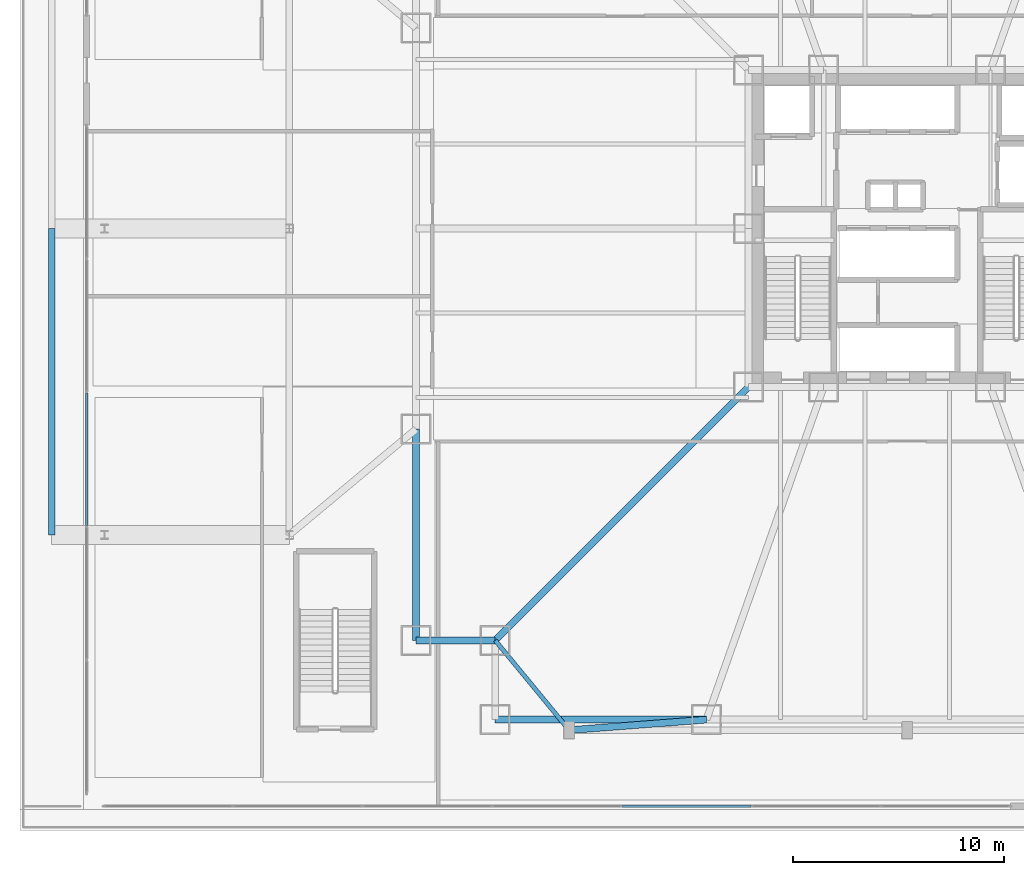
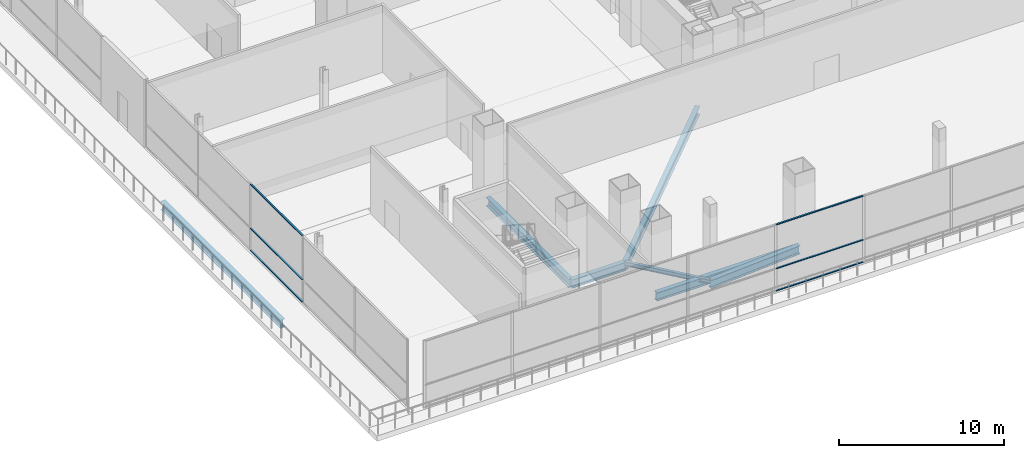
# One storey, part 5 of 36: 7 beams, 6 members, 2 elements without a shape of their own.
"""IFC4 building model written with IfcOpenShell, lengths in metres."""

from ifc_helpers import new_model, si_unit, direction, frame, origin, origin_2d, place, context, subcontext, project, spatial, rectangle, i_section, extrude, material, layer, layer_set, material_profile, profile_set, type_object, element, aggregate, save


model = new_model("IFC4")

# Units and contexts
model_context = context("Model", 3, precision=1e-05, world=origin(), true_north=direction((0.0, 1.0)))
body_context = subcontext(model_context, "Body", "Model", "MODEL_VIEW")
ifc_project = project(units=[si_unit("LENGTHUNIT", "METRE"), si_unit("AREAUNIT", "SQUARE_METRE"), si_unit("VOLUMEUNIT", "CUBIC_METRE"), si_unit("PLANEANGLEUNIT", "RADIAN"), si_unit("MASSUNIT", "GRAM", prefix="KILO")], contexts=[model_context])

# Site, building, storey
site_placement = place(None, origin())
site = spatial("IfcSite", under=ifc_project, at=site_placement, CompositionType="ELEMENT")
building_placement = place(site_placement, origin())
building = spatial("IfcBuilding", under=site, at=building_placement, Name="Trevonay Congress Spire", CompositionType="ELEMENT")
storey_placement = place(building_placement, frame((0.0, 0.0, 5.39990234375)))
storey = spatial("IfcBuildingStorey", under=building, at=storey_placement, Name="L01", CompositionType="ELEMENT", Elevation=5.39990234375)

# Beams
ifc_material_1 = material(Name="Steel ASTM A572 Grade 50", Category="steel")
ifc_material_profile_1 = material_profile(ifc_material_1, i_section(OverallWidth=0.324951171875, OverallDepth=0.615966796875, WebThickness=0.013916015625, FlangeThickness=0.021484375, FilletRadius=0.01806640625, at=origin_2d()), Name="W610x174")
ifc_profile_set_1 = profile_set([ifc_material_profile_1], Name="Steel ASTM A572 Grade 50")
beam_type_1 = type_object("IfcBeamType", Name="BM-GIRD-W610X174", PredefinedType="BEAM", material=ifc_profile_set_1)
for number, where, z_axis, x_axis, name in (
    (1, (-19.5, -23.25, -0.7080078125), (1.0, 0.0, 0.0), (0.0, 1.0, 0.0), "L01 structural beam BM-L01-MS1"),
    (2, (-23.25, -19.5, -0.7080078125), (0.0, 1.0, 0.0), (-1.0, 0.0, 0.0), "L01 structural beam BM-L01-MW1"),
):
    element("IfcBeam", number, at=place(storey_placement, frame(where, z_axis=z_axis, x_axis=x_axis)), inside=storey, type_object=beam_type_1, Name=name, PredefinedType="BEAM", context=body_context, shape_type="SweptSolid", body=[
        extrude(i_section(OverallWidth=0.324951171875, OverallDepth=0.615966796875, WebThickness=0.013916015625, FlangeThickness=0.021484375, FilletRadius=0.01806640625, at=origin_2d()), origin(), (0.0, 0.0, 1.0), 10.0),
    ])
beam_1_placement = place(storey_placement, frame((-23.25, -19.5, -0.7080078125), z_axis=(1.0, 0.0, 0.0), x_axis=(0.0, 1.0, 0.0)))
element("IfcBeam", 3, at=beam_1_placement, inside=storey, type_object=beam_type_1, Name="L01 structural beam BM-L01-CWS", PredefinedType="BEAM", context=body_context, shape_type="SweptSolid", body=[
    extrude(i_section(OverallWidth=0.324951171875, OverallDepth=0.615966796875, WebThickness=0.013916015625, FlangeThickness=0.021484375, FilletRadius=0.01806640625, at=origin_2d()), origin(), (0.0, 0.0, 1.0), 3.75),
])
beam_2_placement = place(storey_placement, frame((-7.5, -7.5, -0.7080078125), z_axis=(-0.707106781187, -0.707106781187, 0.0), x_axis=(0.707106781187, -0.707106781187, 0.0)))
element("IfcBeam", 4, at=beam_2_placement, inside=storey, type_object=beam_type_1, Name="L01 structural beam BM-L01-RAD-SW", PredefinedType="BEAM", context=body_context, shape_type="SweptSolid", body=[
    extrude(i_section(OverallWidth=0.324951171875, OverallDepth=0.615966796875, WebThickness=0.013916015625, FlangeThickness=0.021484375, FilletRadius=0.01806640625, at=origin_2d()), origin(), (0.0, 0.0, 1.0), 16.970458984375),
])
beam_3_placement = place(storey_placement, frame((-9.5, -23.25, -0.7080078125), z_axis=(-0.997054485502, -0.076696498885, 0.0), x_axis=(0.076696498885, -0.997054485502, 0.0)))
element("IfcBeam", 5, at=beam_3_placement, inside=storey, type_object=beam_type_1, Name="L01 structural beam BM-L01-PIL-TS1", PredefinedType="BEAM", context=body_context, shape_type="SweptSolid", body=[
    extrude(i_section(OverallWidth=0.324951171875, OverallDepth=0.615966796875, WebThickness=0.013916015625, FlangeThickness=0.021484375, FilletRadius=0.01806640625, at=origin_2d()), origin(), (0.0, 0.0, 1.0), 6.519287109375),
])
beam_4_placement = place(storey_placement, frame((-40.5, -14.5, -0.7080078125), z_axis=(0.0, 1.0, 0.0), x_axis=(-1.0, 0.0, 0.0)))
element("IfcBeam", 6, at=beam_4_placement, inside=storey, type_object=beam_type_1, Name="L01 structural beam BM-L01-EXWL1", PredefinedType="BEAM", context=body_context, shape_type="SweptSolid", body=[
    extrude(i_section(OverallWidth=0.324951171875, OverallDepth=0.615966796875, WebThickness=0.013916015625, FlangeThickness=0.021484375, FilletRadius=0.01806640625, at=origin_2d()), origin(), (0.0, 0.0, 1.0), 14.5),
])

# Curtain wall, members
ifc_material_2 = material(Name="Pale Anodised Aluminium EN AW-6063-T6", Category="aluminium")
ifc_layer = layer(ifc_material_2, 0.179931640625, Name="Pale Anodised Aluminium EN AW-6063-T6")
ifc_layer_set = layer_set([ifc_layer], Name="Pale Anodised Aluminium EN AW-6063-T6")
curtain_wall_type = type_object("IfcCurtainWallType", Name="CW-SYS01-PODIUM-PALE-METAL", PredefinedType="NOTDEFINED", material=ifc_layer_set)
curtain_wall_1_placement = place(storey_placement, origin())
curtain_wall_1 = element("IfcCurtainWall", 7, at=curtain_wall_1_placement, inside=storey, type_object=curtain_wall_type, Name="L01 W1 podium curtain wall", PredefinedType="NOTDEFINED")
ifc_material_profile_2 = material_profile(ifc_material_2, rectangle(XDim=0.1201171875, YDim=0.06005859375, at=origin_2d()), Name="CW-TRANSOM-120-ALUMINIUM")
ifc_profile_set_2 = profile_set([ifc_material_profile_2], Name="Pale Anodised Aluminium EN AW-6063-T6")
member_type = type_object("IfcMemberType", Name="CW-TRANSOM-120-ALUMINIUM", PredefinedType="USERDEFINED", material=ifc_profile_set_2)
member_1_placement = place(storey_placement, frame((-38.85009765625, -14.06005859375, 0.06005859375), z_axis=(0.0, 1.0, 0.0), x_axis=(-1.0, 0.0, 0.0)))
member_1 = element("IfcMember", 8, at=member_1_placement, type_object=member_type, Name="CW01 transom 3.1", ObjectType="TRANSOM", PredefinedType="USERDEFINED", context=body_context, shape_type="SweptSolid", body=[
    extrude(rectangle(XDim=0.1201171875, YDim=0.06005859375, at=origin_2d()), origin(), (0.0, 0.0, 1.0), 6.27001953125),
])
member_2_placement = place(storey_placement, frame((-38.85009765625, -14.06005859375, 1.7001953125), z_axis=(0.0, 1.0, 0.0), x_axis=(-1.0, 0.0, 0.0)))
member_2 = element("IfcMember", 9, at=member_2_placement, type_object=member_type, Name="CW01 transom 3.2", ObjectType="TRANSOM", PredefinedType="USERDEFINED", context=body_context, shape_type="SweptSolid", body=[
    extrude(rectangle(XDim=0.1201171875, YDim=0.06005859375, at=origin_2d()), origin(), (0.0, 0.0, 1.0), 6.27001953125),
])
member_3_placement = place(storey_placement, frame((-38.85009765625, -14.06005859375, 4.940185546875), z_axis=(0.0, 1.0, 0.0), x_axis=(-1.0, 0.0, 0.0)))
member_3 = element("IfcMember", 10, at=member_3_placement, type_object=member_type, Name="CW01 transom 3.3", ObjectType="TRANSOM", PredefinedType="USERDEFINED", context=body_context, shape_type="SweptSolid", body=[
    extrude(rectangle(XDim=0.1201171875, YDim=0.06005859375, at=origin_2d()), origin(), (0.0, 0.0, 1.0), 6.27001953125),
])
aggregate(curtain_wall_1, [member_1, member_2, member_3])

curtain_wall_2_placement = place(storey_placement, origin())
curtain_wall_2 = element("IfcCurtainWall", 11, at=curtain_wall_2_placement, inside=storey, type_object=curtain_wall_type, Name="L01 S1 podium curtain wall", PredefinedType="NOTDEFINED")
member_4_placement = place(storey_placement, frame((-13.47705078125, -27.35009765625, 0.06005859375), z_axis=(1.0, 0.0, 0.0), x_axis=(0.0, 1.0, 0.0)))
member_4 = element("IfcMember", 12, at=member_4_placement, type_object=member_type, Name="CW01 transom 5.1", ObjectType="TRANSOM", PredefinedType="USERDEFINED", context=body_context, shape_type="SweptSolid", body=[
    extrude(rectangle(XDim=0.1201171875, YDim=0.06005859375, at=origin_2d()), origin(), (0.0, 0.0, 1.0), 6.07568359375),
])
member_5_placement = place(storey_placement, frame((-13.47705078125, -27.35009765625, 1.7001953125), z_axis=(1.0, 0.0, 0.0), x_axis=(0.0, 1.0, 0.0)))
member_5 = element("IfcMember", 13, at=member_5_placement, type_object=member_type, Name="CW01 transom 5.2", ObjectType="TRANSOM", PredefinedType="USERDEFINED", context=body_context, shape_type="SweptSolid", body=[
    extrude(rectangle(XDim=0.1201171875, YDim=0.06005859375, at=origin_2d()), origin(), (0.0, 0.0, 1.0), 6.07568359375),
])
member_6_placement = place(storey_placement, frame((-13.47705078125, -27.35009765625, 4.940185546875), z_axis=(1.0, 0.0, 0.0), x_axis=(0.0, 1.0, 0.0)))
member_6 = element("IfcMember", 14, at=member_6_placement, type_object=member_type, Name="CW01 transom 5.3", ObjectType="TRANSOM", PredefinedType="USERDEFINED", context=body_context, shape_type="SweptSolid", body=[
    extrude(rectangle(XDim=0.1201171875, YDim=0.06005859375, at=origin_2d()), origin(), (0.0, 0.0, 1.0), 6.07568359375),
])
aggregate(curtain_wall_2, [member_4, member_5, member_6])

# Beam
ifc_material_profile_3 = material_profile(ifc_material_1, i_section(OverallWidth=0.2041015625, OverallDepth=0.305908203125, WebThickness=0.008544921875, FlangeThickness=0.0146484375, FilletRadius=0.010986328125, at=origin_2d()), Name="W310x67")
ifc_profile_set_3 = profile_set([ifc_material_profile_3], Name="Steel ASTM A572 Grade 50")
beam_type_2 = type_object("IfcBeamType", Name="SPB-W310X67", PredefinedType="SPANDREL", material=ifc_profile_set_3)
beam_5_placement = place(storey_placement, frame((-16.0, -23.75, -0.552978515625), z_axis=(-0.635707252861, 0.771930235617, 0.0), x_axis=(-0.771930235617, -0.635707252861, 0.0)))
element("IfcBeam", 15, at=beam_5_placement, inside=storey, type_object=beam_type_2, Name="L01 structural beam SPB-L01-SW", PredefinedType="SPANDREL", context=body_context, shape_type="SweptSolid", body=[
    extrude(i_section(OverallWidth=0.2041015625, OverallDepth=0.305908203125, WebThickness=0.008544921875, FlangeThickness=0.0146484375, FilletRadius=0.010986328125, at=origin_2d()), origin(), (0.0, 0.0, 1.0), 5.505615234375),
])

save(model, "model.ifc")
